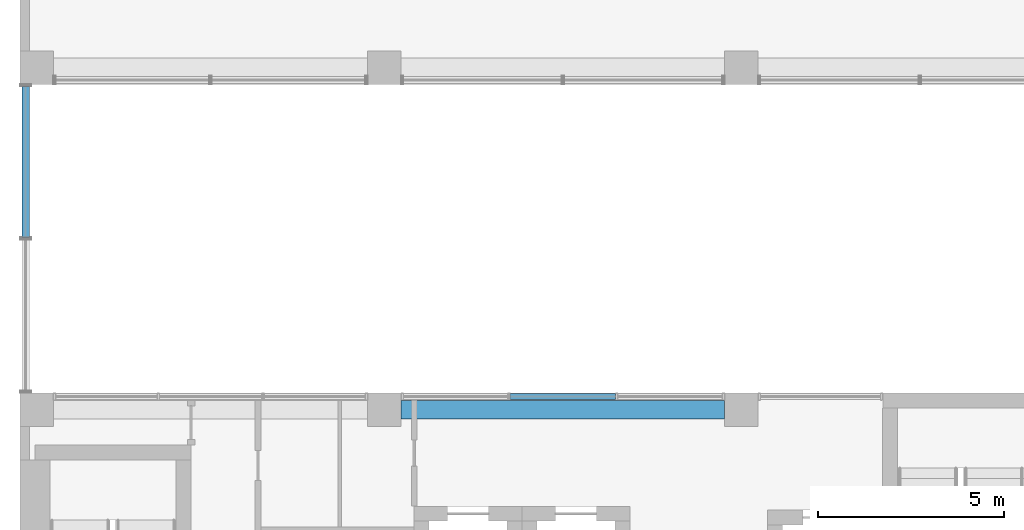
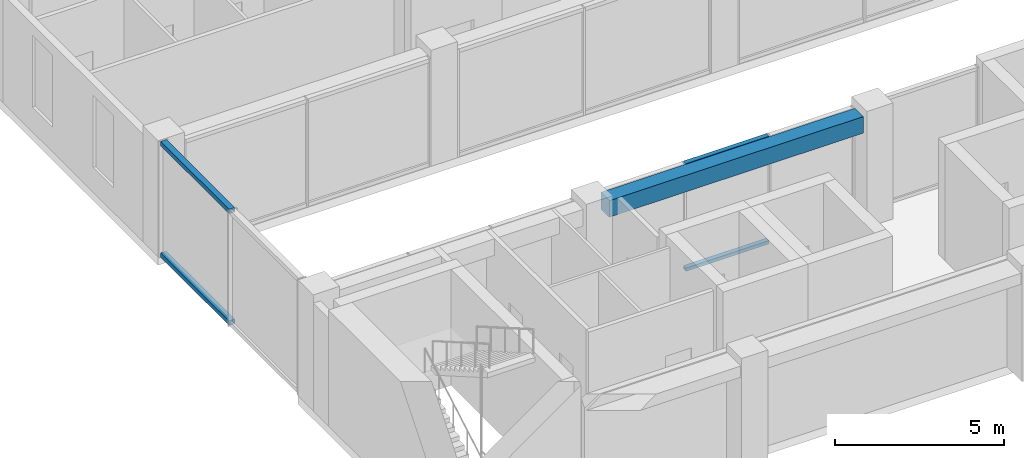
# One storey, part 7 of 37: 4 members, 1 beam, 2 elements without a shape of their own.
"""IFC4 building model written with IfcOpenShell, lengths in metres."""

from ifc_helpers import new_model, si_unit, direction, frame, origin, origin_2d, place, context, subcontext, project, spatial, rectangle, hollow_rectangle, extrude, material, layer, layer_set, material_profile, profile_set, type_object, element, aggregate, save


model = new_model("IFC4")

# Units and contexts
model_context = context("Model", 3, precision=1e-05, world=origin(), true_north=direction((0.0, 1.0)))
body_context = subcontext(model_context, "Body", "Model", "MODEL_VIEW")
ifc_project = project(units=[si_unit("LENGTHUNIT", "METRE"), si_unit("AREAUNIT", "SQUARE_METRE"), si_unit("VOLUMEUNIT", "CUBIC_METRE"), si_unit("PLANEANGLEUNIT", "RADIAN"), si_unit("MASSUNIT", "GRAM", prefix="KILO")], contexts=[model_context])

# Site, building, storey
site_placement = place(None, origin())
site = spatial("IfcSite", under=ifc_project, at=site_placement, CompositionType="ELEMENT")
building_placement = place(site_placement, origin())
building = spatial("IfcBuilding", under=site, at=building_placement, Name="Nzadi Deep Aquarium and Research Tower", CompositionType="ELEMENT")
storey_placement = place(building_placement, frame((0.0, 0.0, 61.300048828125)))
storey = spatial("IfcBuildingStorey", under=building, at=storey_placement, Name="L12", CompositionType="ELEMENT", Elevation=61.300048828125)

# Beam
ifc_material_1 = material(Name="Concrete C35/45", Category="concrete")
ifc_material_profile_1 = material_profile(ifc_material_1, rectangle(XDim=0.5, YDim=0.60009765625, at=origin_2d()))
ifc_profile_set_1 = profile_set([ifc_material_profile_1], Name="Concrete C35/45")
beam_type = type_object("IfcBeamType", Name="RC 500x600", PredefinedType="BEAM", material=ifc_profile_set_1)
beam_placement = place(storey_placement, frame((10.050048828125, 18.39990234375, 3.599853515625), z_axis=(1.0, 0.0, 0.0), x_axis=(0.0, 1.0, 0.0)))
element("IfcBeam", 1, at=beam_placement, inside=storey, type_object=beam_type, Name="B-Z1-L12-L3-2", PredefinedType="BEAM", context=body_context, shape_type="SweptSolid", body=[
    extrude(rectangle(XDim=0.5, YDim=0.60009765625, at=origin_2d()), origin(), (0.0, 0.0, 1.0), 8.699951171875),
])

# Curtain wall, members
ifc_material_2 = material(Name="Aluminium unitised frame", Category="aluminium")
ifc_layer_1 = layer(ifc_material_2, 0.199951171875)
ifc_layer_set_1 = layer_set([ifc_layer_1], Name="Aluminium unitised frame")
curtain_wall_type_1 = type_object("IfcCurtainWallType", Name="Curtain wall Unitised 200", PredefinedType="NOTDEFINED", material=ifc_layer_set_1)
curtain_wall_1_placement = place(storey_placement, origin())
curtain_wall_1 = element("IfcCurtainWall", 2, at=curtain_wall_1_placement, inside=storey, type_object=curtain_wall_type_1, Name="Unitised curtain wall blade A north L12", PredefinedType="NOTDEFINED")
ifc_material_3 = material(Name="Aluminium unitised frame", Category="aluminium")
ifc_material_profile_2 = material_profile(ifc_material_3, hollow_rectangle(XDim=0.159912109375, YDim=0.1201171875, WallThickness=0.0048828125, at=origin_2d()))
ifc_profile_set_2 = profile_set([ifc_material_profile_2], Name="Aluminium unitised frame")
member_type_1 = type_object("IfcMemberType", Name="Transom 120x160 Unitised", PredefinedType="MULLION", material=ifc_profile_set_2)
member_1_placement = place(storey_placement, frame((12.97998046875, 18.75, 0.06005859375), z_axis=(1.0, 0.0, 0.0), x_axis=(0.0, 1.0, 0.0)))
member_1 = element("IfcMember", 3, at=member_1_placement, type_object=member_type_1, Name="CW052 transom 2.1", PredefinedType="MULLION", context=body_context, shape_type="SweptSolid", body=[
    extrude(hollow_rectangle(XDim=0.159912109375, YDim=0.1201171875, WallThickness=0.0048828125, at=origin_2d()), origin(), (0.0, 0.0, 1.0), 2.840087890625),
])
member_2_placement = place(storey_placement, frame((12.97998046875, 18.75, 3.83984375), z_axis=(1.0, 0.0, 0.0), x_axis=(0.0, 1.0, 0.0)))
member_2 = element("IfcMember", 4, at=member_2_placement, type_object=member_type_1, Name="CW052 transom 2.2", PredefinedType="MULLION", context=body_context, shape_type="SweptSolid", body=[
    extrude(hollow_rectangle(XDim=0.159912109375, YDim=0.1201171875, WallThickness=0.0048828125, at=origin_2d()), origin(), (0.0, 0.0, 1.0), 2.840087890625),
])
aggregate(curtain_wall_1, [member_1, member_2])

ifc_material_4 = material(Name="Aluminium unitised frame wind post", Category="aluminium")
ifc_layer_2 = layer(ifc_material_4, 0.300048828125)
ifc_layer_set_2 = layer_set([ifc_layer_2], Name="Aluminium unitised frame wind post")
curtain_wall_type_2 = type_object("IfcCurtainWallType", Name="Curtain wall Slot End 300", PredefinedType="NOTDEFINED", material=ifc_layer_set_2)
curtain_wall_2_placement = place(storey_placement, origin())
curtain_wall_2 = element("IfcCurtainWall", 5, at=curtain_wall_2_placement, inside=storey, type_object=curtain_wall_type_2, Name="Glazed slot end west L12", PredefinedType="NOTDEFINED")
ifc_material_5 = material(Name="Aluminium unitised frame wind post", Category="aluminium")
ifc_material_profile_3 = material_profile(ifc_material_5, hollow_rectangle(XDim=0.199951171875, YDim=0.159912109375, WallThickness=0.0048828125, at=origin_2d()))
ifc_profile_set_3 = profile_set([ifc_material_profile_3], Name="Aluminium unitised frame wind post")
member_type_2 = type_object("IfcMemberType", Name="Transom 160x200 Slot End", PredefinedType="MULLION", material=ifc_profile_set_3)
member_3_placement = place(storey_placement, frame((-0.050048828125, 23.030029296875, 0.079833984375), z_axis=(0.0, 1.0, 0.0), x_axis=(-1.0, 0.0, 0.0)))
member_3 = element("IfcMember", 6, at=member_3_placement, type_object=member_type_2, Name="CW215 transom 2.1", PredefinedType="MULLION", context=body_context, shape_type="SweptSolid", body=[
    extrude(hollow_rectangle(XDim=0.199951171875, YDim=0.159912109375, WallThickness=0.0048828125, at=origin_2d()), origin(), (0.0, 0.0, 1.0), 4.06005859375),
])
member_4_placement = place(storey_placement, frame((-0.050048828125, 23.030029296875, 4.119873046875), z_axis=(0.0, 1.0, 0.0), x_axis=(-1.0, 0.0, 0.0)))
member_4 = element("IfcMember", 7, at=member_4_placement, type_object=member_type_2, Name="CW215 transom 2.2", PredefinedType="MULLION", context=body_context, shape_type="SweptSolid", body=[
    extrude(hollow_rectangle(XDim=0.199951171875, YDim=0.159912109375, WallThickness=0.0048828125, at=origin_2d()), origin(), (0.0, 0.0, 1.0), 4.06005859375),
])
aggregate(curtain_wall_2, [member_3, member_4])

save(model, "model.ifc")
